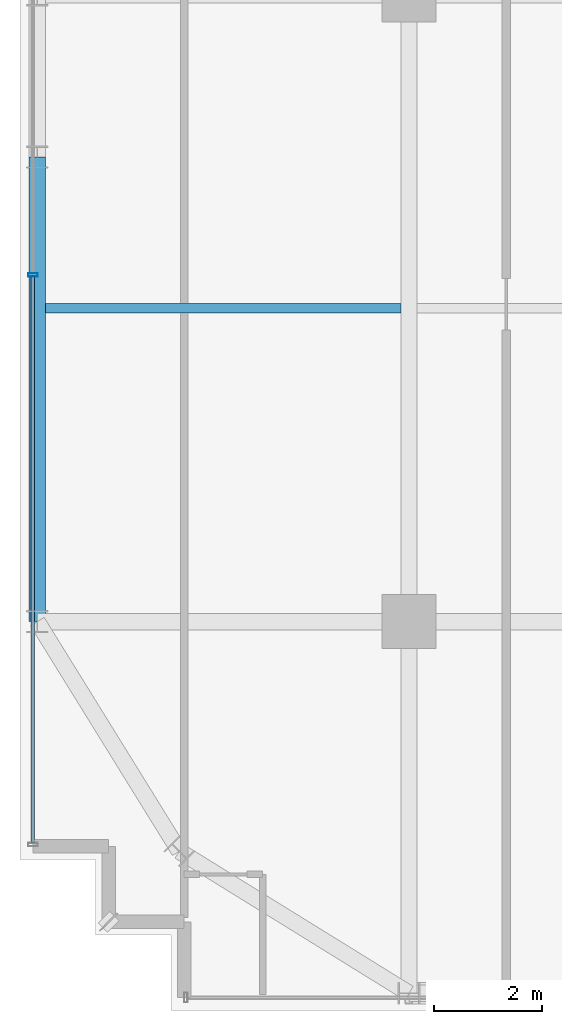
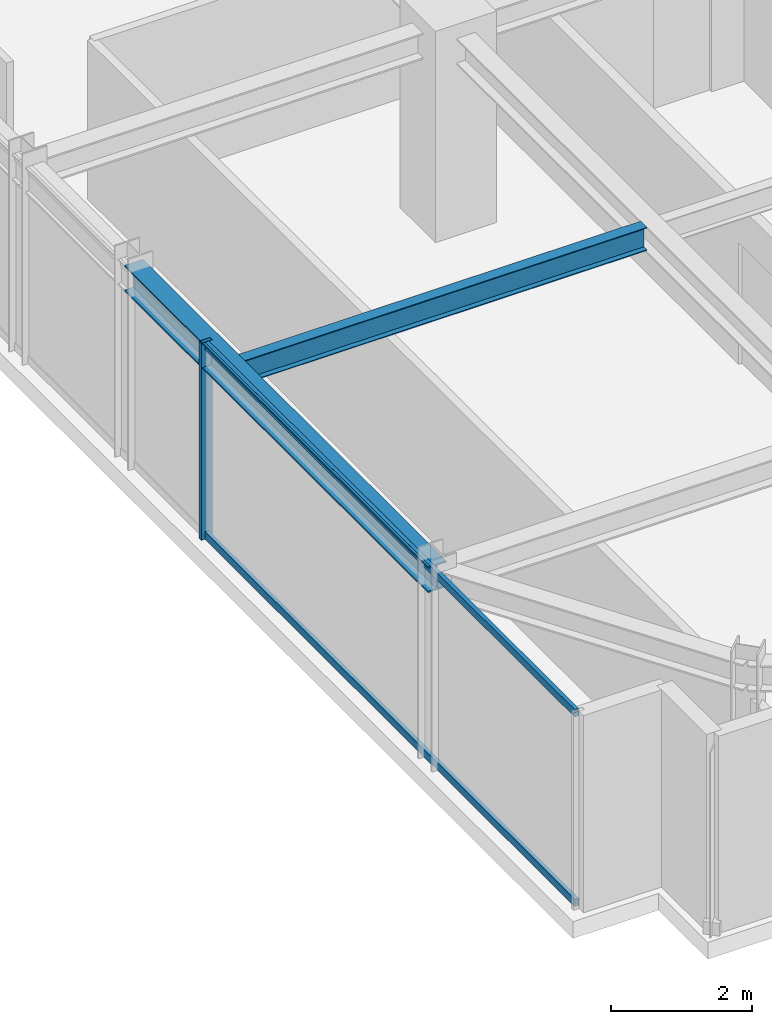
# One storey, part 6 of 43: 3 members, 2 beams, 1 element without a shape of its own.
"""IFC4 building model written with IfcOpenShell, lengths in metres."""

from ifc_helpers import new_model, si_unit, direction, frame, origin, origin_2d, place, context, subcontext, project, spatial, hollow_rectangle, i_section, extrude, source, transform, mapped, material, material_profile, profile_set, type_object, element, aggregate, save


model = new_model("IFC4")

# Units and contexts
model_context = context("Model", 3, precision=1e-05, world=origin(), true_north=direction((0.0, 1.0)))
body_context = subcontext(model_context, "Body", "Model", "MODEL_VIEW")
ifc_project = project(units=[si_unit("LENGTHUNIT", "METRE"), si_unit("AREAUNIT", "SQUARE_METRE"), si_unit("VOLUMEUNIT", "CUBIC_METRE"), si_unit("PLANEANGLEUNIT", "RADIAN"), si_unit("MASSUNIT", "GRAM", prefix="KILO")], contexts=[model_context])

# Site, building, storey
site_placement = place(None, origin())
site = spatial("IfcSite", under=ifc_project, at=site_placement, CompositionType="ELEMENT")
building_placement = place(site_placement, origin())
building = spatial("IfcBuilding", under=site, at=building_placement, Name="Nahalor Promenade Grand Hotel", CompositionType="ELEMENT")
storey_placement = place(building_placement, frame((0.0, 0.0, 204.89990234375)))
storey = spatial("IfcBuildingStorey", under=building, at=storey_placement, Name="L52", CompositionType="ELEMENT", Elevation=204.89990234375)

# Beams
ifc_material_1 = material(Name="Steel S355JR", Category="steel")
ifc_material_profile_1 = material_profile(ifc_material_1, i_section(OverallWidth=0.3, OverallDepth=0.45, WebThickness=0.014, FlangeThickness=0.026, at=origin_2d()), Name="HEB 450")
ifc_profile_set_1 = profile_set([ifc_material_profile_1], Name="Steel S355JR")
beam_type_1 = type_object("IfcBeamType", Name="Beam-Spandrel-HEB450", PredefinedType="SPANDREL", material=ifc_profile_set_1)
shared_shape_1 = source(origin(), body_context, "Body", "SweptSolid", [
    extrude(i_section(OverallWidth=0.3, OverallDepth=0.45, WebThickness=0.014, FlangeThickness=0.026, at=origin_2d()), origin(), (0.0, 0.0, 1.0), 8.60009765625),
])
beam_1_placement = place(storey_placement, frame((-23.8798828125, -17.0, 3.18505859375), z_axis=(0.0, 1.0, 0.0), x_axis=(-1.0, 0.0, 0.0)))
element("IfcBeam", 1, at=beam_1_placement, inside=storey, type_object=beam_type_1, Name="BM-L52-SP-W-0", PredefinedType="SPANDREL", context=body_context, shape_type="MappedRepresentation", body=[
    mapped(shared_shape_1, transform((0.0, 0.0, 0.0), scale=1.0)),
])
ifc_material_profile_2 = material_profile(ifc_material_1, i_section(OverallWidth=0.18, OverallDepth=0.4, WebThickness=0.0086, FlangeThickness=0.0135, at=origin_2d()), Name="IPE 400")
ifc_profile_set_2 = profile_set([ifc_material_profile_2], Name="Steel S355JR")
beam_type_2 = type_object("IfcBeamType", Name="Beam-Joist-IPE400", PredefinedType="JOIST", material=ifc_profile_set_2)
shared_shape_2 = source(origin(), body_context, "Body", "SweptSolid", [
    extrude(i_section(OverallWidth=0.18, OverallDepth=0.4, WebThickness=0.0086, FlangeThickness=0.0135, at=origin_2d()), origin(), (0.0, 0.0, 1.0), 6.580078125),
])
beam_2_placement = place(storey_placement, frame((-23.72998046875, -11.199951171875, 3.210205078125), z_axis=(1.0, 0.0, 0.0), x_axis=(0.0, 1.0, 0.0)))
element("IfcBeam", 2, at=beam_2_placement, inside=storey, type_object=beam_type_2, Name="BM-L52-JSW-0-0", PredefinedType="JOIST", context=body_context, shape_type="MappedRepresentation", body=[
    mapped(shared_shape_2, transform((0.0, 0.0, 0.0), scale=1.0)),
])

# Curtain wall, members
ifc_material_2 = material(Name="Anodised Bronze Aluminium EN AW-6063 T6", Category="aluminium")
curtain_wall_type = type_object("IfcCurtainWallType", Name="CW2 Typical Hotel Flush Bronze Unitised Curtain Wall", PredefinedType="USERDEFINED", material=ifc_material_2)
curtain_wall_placement = place(storey_placement, origin())
curtain_wall = element("IfcCurtainWall", 3, at=curtain_wall_placement, inside=storey, type_object=curtain_wall_type, Name="L52 Curtain Wall CW-L52-W-1", ObjectType="UNITISED_CURTAIN_WALL", PredefinedType="USERDEFINED")
ifc_material_profile_3 = material_profile(ifc_material_2, hollow_rectangle(XDim=0.065, YDim=0.18, WallThickness=0.004, at=origin_2d()), Name="CWM 65x180x4")
ifc_profile_set_3 = profile_set([ifc_material_profile_3], Name="Anodised Bronze Aluminium EN AW-6063 T6")
member_type_1 = type_object("IfcMemberType", Name="CWM2 Typical Bronze Mullion 65x180", PredefinedType="MULLION", material=ifc_profile_set_3)
shared_shape_3 = source(origin(), body_context, "Body", "SweptSolid", [
    extrude(hollow_rectangle(XDim=0.065, YDim=0.18, WallThickness=0.004, at=origin_2d()), origin(), (0.0, 0.0, 1.0), 3.41015625),
])
member_1_placement = place(storey_placement, frame((-23.9599609375, -10.580078125, 0.0), z_axis=(0.0, 0.0, 1.0), x_axis=(0.0, 1.0, 0.0)))
member_1 = element("IfcMember", 4, at=member_1_placement, type_object=member_type_1, Name="CW-L52-W-1 Mullion 1", PredefinedType="MULLION", context=body_context, shape_type="MappedRepresentation", body=[
    mapped(shared_shape_3, transform((0.0, 0.0, 0.0), scale=1.0)),
])
ifc_material_profile_4 = material_profile(ifc_material_2, hollow_rectangle(XDim=0.065, YDim=0.13, WallThickness=0.004, at=origin_2d()), Name="CWT 65x130x4")
ifc_profile_set_4 = profile_set([ifc_material_profile_4], Name="Anodised Bronze Aluminium EN AW-6063 T6")
member_type_2 = type_object("IfcMemberType", Name="CWT2 Typical Bronze Transom 65x130", PredefinedType="USERDEFINED", material=ifc_profile_set_4)
shared_shape_4 = source(origin(), body_context, "Body", "SweptSolid", [
    extrude(hollow_rectangle(XDim=0.065, YDim=0.13, WallThickness=0.004, at=origin_2d()), origin(), (0.0, 0.0, 1.0), 10.482421875),
])
member_2_placement = place(storey_placement, frame((-23.9599609375, -21.094970703125, 0.065185546875), z_axis=(0.0, 1.0, 0.0), x_axis=(-1.0, 0.0, 0.0)))
member_2 = element("IfcMember", 5, at=member_2_placement, type_object=member_type_2, Name="CW-L52-W-1 Transom 0-0", ObjectType="TRANSOM", PredefinedType="USERDEFINED", context=body_context, shape_type="MappedRepresentation", body=[
    mapped(shared_shape_4, transform((0.0, 0.0, 0.0), scale=1.0)),
])
member_3_placement = place(storey_placement, frame((-23.9599609375, -21.094970703125, 3.34521484375), z_axis=(0.0, 1.0, 0.0), x_axis=(-1.0, 0.0, 0.0)))
member_3 = element("IfcMember", 6, at=member_3_placement, type_object=member_type_2, Name="CW-L52-W-1 Transom 0-1", ObjectType="TRANSOM", PredefinedType="USERDEFINED", context=body_context, shape_type="MappedRepresentation", body=[
    mapped(shared_shape_4, transform((0.0, 0.0, 0.0), scale=1.0)),
])
aggregate(curtain_wall, [member_1, member_2, member_3])

save(model, "model.ifc")
